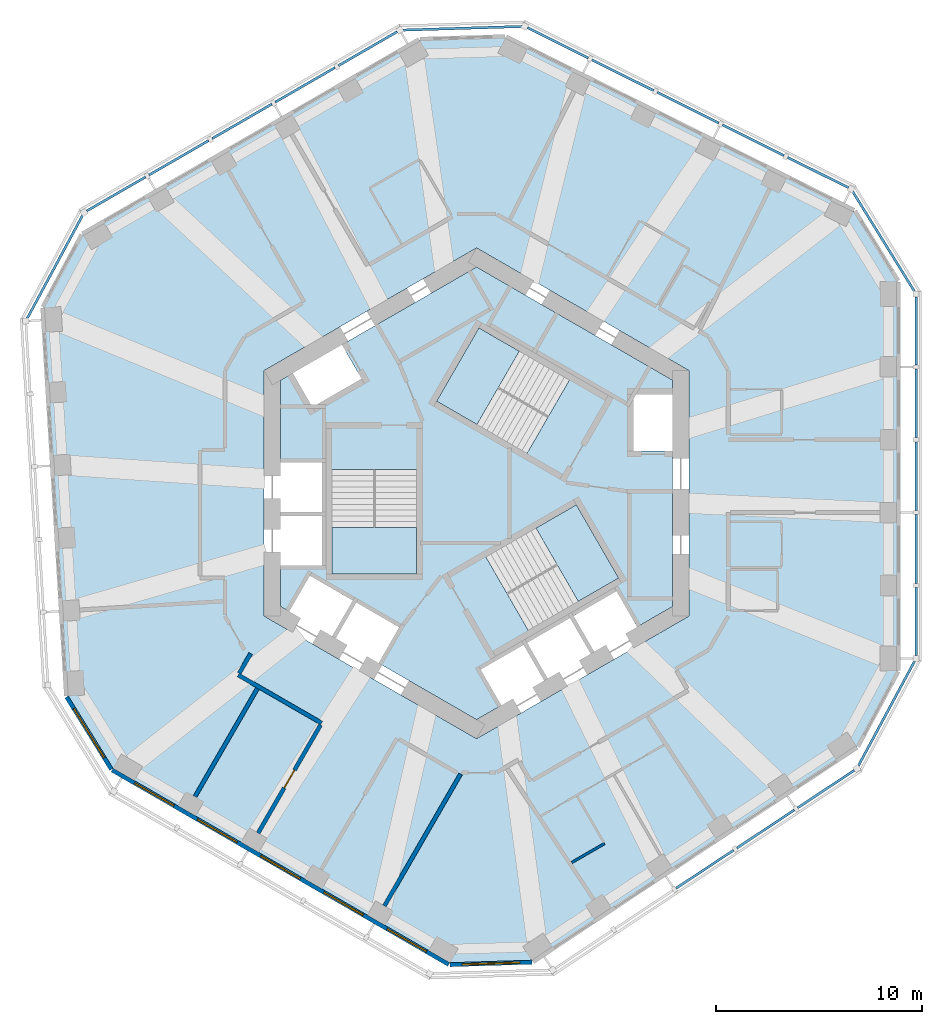
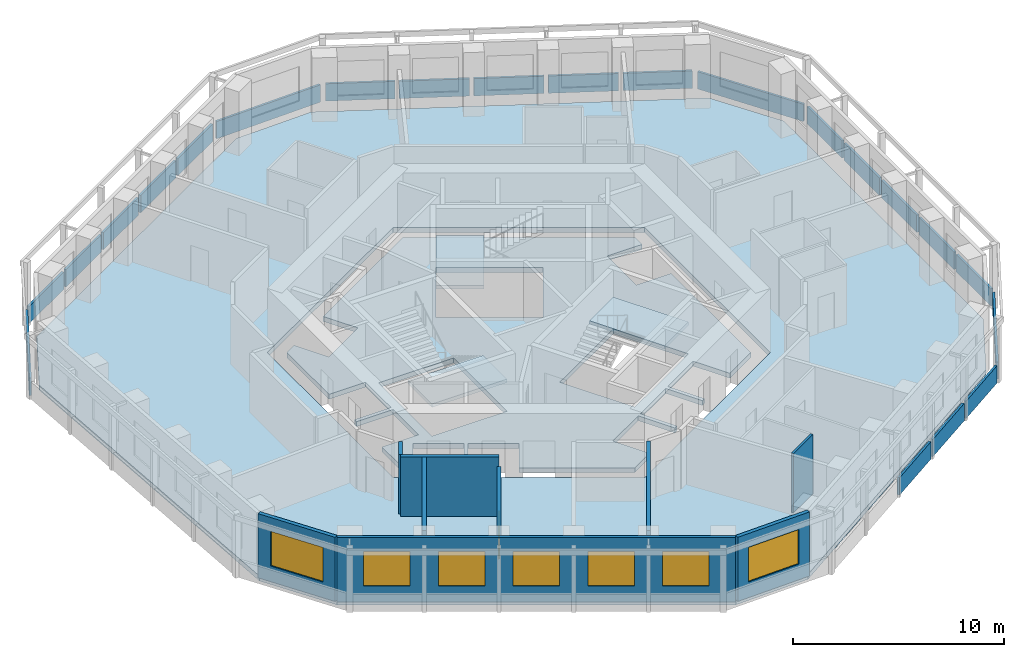
# One storey, part 3 of 11: 22 plates, 9 walls, 7 windows, 5 slabs, 1 door, 8 openings, 11 elements without a shape of their own.
"""IFC4 building model written with IfcOpenShell, lengths in metres."""

from ifc_helpers import new_model, si_unit, direction, frame, frame_2d, origin, origin_2d, place, context, subcontext, project, spatial, polyline, rectangle, outline, extrude, material, layer, layer_set, type_object, element, fill, aggregate, save


model = new_model("IFC4")

# Units and contexts
model_context = context("Model", 3, precision=1e-05, world=origin(), true_north=direction((0.0, 1.0)))
body_context = subcontext(model_context, "Body", "Model", "MODEL_VIEW")
ifc_project = project(units=[si_unit("LENGTHUNIT", "METRE"), si_unit("AREAUNIT", "SQUARE_METRE"), si_unit("VOLUMEUNIT", "CUBIC_METRE"), si_unit("PLANEANGLEUNIT", "RADIAN"), si_unit("MASSUNIT", "GRAM", prefix="KILO")], contexts=[model_context])

# Site, building, storey
site_placement = place(None, origin())
site = spatial("IfcSite", under=ifc_project, at=site_placement, CompositionType="ELEMENT")
building_placement = place(site_placement, origin())
building = spatial("IfcBuilding", under=site, at=building_placement, Name="Vanh Sen Convention Tower", CompositionType="ELEMENT")
storey_placement = place(building_placement, frame((0.0, 0.0, 225.39990234375)))
storey = spatial("IfcBuildingStorey", under=building, at=storey_placement, Name="L55", CompositionType="ELEMENT", Elevation=225.39990234375)

# Slabs
ifc_material_1 = material(Name="Concrete C40/50", Category="concrete")
ifc_layer_1 = layer(ifc_material_1, 0.280029296875)
ifc_layer_set_1 = layer_set([ifc_layer_1], Name="Concrete C40/50")
slab_type_1 = type_object("IfcSlabType", Name="Core slab 280", PredefinedType="FLOOR", material=ifc_layer_set_1)
slab_1_placement = place(storey_placement, frame((0.0, 0.0, -0.27978515625)))
element("IfcSlab", 1, at=slab_1_placement, inside=storey, type_object=slab_type_1, Name="Core slab L55", PredefinedType="FLOOR", context=body_context, shape_type="SweptSolid", body=[
    extrude(outline(polyline([(0.0, 10.9697265625), (9.5, 5.48486328125), (9.5, 4.800048828125), (7.60009765625, 4.800048828125), (7.60009765625, 2.050048828125), (9.5, 2.050048828125), (9.5, -5.48486328125), (7.781005859375, -6.477294921875), (6.781005859375, -4.7451171875), (4.70263671875, -5.9453125), (5.70263671875, -7.67724609375), (5.529296875, -7.777099609375), (4.529296875, -6.045166015625), (2.450927734375, -7.2451171875), (3.450927734375, -8.977294921875), (3.27783203125, -9.0771484375), (2.27783203125, -7.34521484375), (0.19921875, -8.545166015625), (1.19921875, -10.277099609375), (0.0, -10.9697265625), (-4.75, -8.227294921875), (-3.75, -6.4951171875), (-5.82861328125, -5.295166015625), (-6.82861328125, -7.027099609375), (-7.001708984375, -6.92724609375), (-6.001708984375, -5.1953125), (-8.080078125, -3.9951171875), (-9.080078125, -5.727294921875), (-9.5, -5.48486328125), (-9.5, -3.5), (-7.5, -3.5), (-7.5, -1.10009765625), (-9.5, -1.10009765625), (-9.5, -0.89990234375), (-7.5, -0.89990234375), (-7.5, 1.5), (-9.5, 1.5), (-9.5, 5.48486328125), (-8.906982421875, 5.8271484375), (-7.956787109375, 4.181884765625), (-5.575439453125, 5.556884765625), (-6.525390625, 7.2021484375), (0.0, 10.9697265625)]), holes=[polyline([(-7.0, 1.1494140625), (-7.0, -3.909912109375), (-2.89990234375, -3.909912109375), (-2.89990234375, 1.1494140625), (-7.0, 1.1494140625)]), polyline([(2.504638671875, -6.63671875), (6.88623046875, -4.107177734375), (4.836181640625, -0.556396484375), (0.45458984375, -3.086181640625), (2.504638671875, -6.63671875)]), polyline([(0.11376953125, 8.01708984375), (-1.936279296875, 4.466552734375), (2.4453125, 1.936767578125), (4.495361328125, 5.487548828125), (0.11376953125, 8.01708984375)])]), origin(), (0.0, 0.0, 1.0), 0.27978515625),
])
ifc_layer_2 = layer(ifc_material_1, 0.280029296875)
ifc_layer_set_2 = layer_set([ifc_layer_2], Name="Concrete C40/50")
slab_type_2 = type_object("IfcSlabType", Name="Floor slab 280 REI 120", PredefinedType="FLOOR", material=ifc_layer_set_2)
slab_2_placement = place(storey_placement, frame((0.0, 0.0, -0.27978515625)))
element("IfcSlab", 2, at=slab_2_placement, inside=storey, type_object=slab_type_2, Name="Floor slab L55 tower", PredefinedType="FLOOR", context=body_context, shape_type="SweptSolid", body=[
    extrude(outline(polyline([(20.39990234375, -8.602783203125), (20.39990234375, 10.265380859375), (18.289306640625, 13.67626953125), (1.403564453125, 22.09521484375), (-2.749755859375, 21.96826171875), (-19.090087890625, 12.5341796875), (-20.988525390625, 9.000732421875), (-19.8369140625, -9.83203125), (-17.650146484375, -13.365478515625), (-1.309814453125, -22.799560546875), (2.699462890625, -22.677001953125), (18.433349609375, -12.26318359375), (20.39990234375, -8.602783203125)]), holes=[polyline([(0.0, 11.893310546875), (-10.300048828125, 5.94677734375), (-10.300048828125, -5.94677734375), (0.0, -11.893310546875), (10.300048828125, -5.94677734375), (10.300048828125, 5.94677734375), (0.0, 11.893310546875)])]), origin(), (0.0, 0.0, 1.0), 0.27978515625),
])

# Curtain wall, plates
ifc_material_2 = material(Name="Concrete C50/60", Category="concrete")
curtain_wall_type = type_object("IfcCurtainWallType", Name="Outer skin office zone", PredefinedType="NOTDEFINED", material=ifc_material_2)
curtain_wall_1_placement = place(storey_placement, origin())
curtain_wall_1 = element("IfcCurtainWall", 3, at=curtain_wall_1_placement, inside=storey, type_object=curtain_wall_type, Name="OUTER SKIN E L55", PredefinedType="NOTDEFINED")
ifc_layer_3 = layer(ifc_material_2, 0.1201171875)
ifc_layer_set_3 = layer_set([ifc_layer_3], Name="Concrete C50/60")
plate_type = type_object("IfcPlateType", Name="Outer skin precast screen panel 120", PredefinedType="CURTAIN_PANEL", material=ifc_layer_set_3)
plate_1_placement = place(storey_placement, frame((21.300048828125, -6.2109375, 0.0), z_axis=(0.0, 0.0, 1.0), x_axis=(0.0, 1.0, 0.0)))
plate_1 = element("IfcPlate", 4, at=plate_1_placement, type_object=plate_type, Name="OUTER SKIN screen panel E-1", PredefinedType="CURTAIN_PANEL", context=body_context, shape_type="SweptSolid", body=[
    extrude(rectangle(XDim=3.28369140625, YDim=0.1201171875, at=origin_2d()), origin(), (0.0, 0.0, 1.0), 1.0),
])
plate_2_placement = place(storey_placement, frame((21.300048828125, -2.702392578125, 0.0), z_axis=(0.0, 0.0, 1.0), x_axis=(0.0, 1.0, 0.0)))
plate_2 = element("IfcPlate", 5, at=plate_2_placement, type_object=plate_type, Name="OUTER SKIN screen panel E-2", PredefinedType="CURTAIN_PANEL", context=body_context, shape_type="SweptSolid", body=[
    extrude(rectangle(XDim=3.333740234375, YDim=0.1201171875, at=origin_2d()), origin(), (0.0, 0.0, 1.0), 1.0),
])
plate_3_placement = place(storey_placement, frame((21.300048828125, 0.831298828125, 0.0), z_axis=(0.0, 0.0, 1.0), x_axis=(0.0, 1.0, 0.0)))
plate_3 = element("IfcPlate", 6, at=plate_3_placement, type_object=plate_type, Name="OUTER SKIN screen panel E-3", PredefinedType="CURTAIN_PANEL", context=body_context, shape_type="SweptSolid", body=[
    extrude(rectangle(XDim=3.33349609375, YDim=0.1201171875, at=origin_2d()), origin(), (0.0, 0.0, 1.0), 1.0),
])
plate_4_placement = place(storey_placement, frame((21.300048828125, 4.364990234375, 0.0), z_axis=(0.0, 0.0, 1.0), x_axis=(0.0, 1.0, 0.0)))
plate_4 = element("IfcPlate", 7, at=plate_4_placement, type_object=plate_type, Name="OUTER SKIN screen panel E-4", PredefinedType="CURTAIN_PANEL", context=body_context, shape_type="SweptSolid", body=[
    extrude(rectangle(XDim=3.33349609375, YDim=0.1201171875, at=origin_2d()), origin(), (0.0, 0.0, 1.0), 1.0),
])
plate_5_placement = place(storey_placement, frame((21.300048828125, 7.87353515625, 0.0), z_axis=(0.0, 0.0, 1.0), x_axis=(0.0, 1.0, 0.0)))
plate_5 = element("IfcPlate", 8, at=plate_5_placement, type_object=plate_type, Name="OUTER SKIN screen panel E-5", PredefinedType="CURTAIN_PANEL", context=body_context, shape_type="SweptSolid", body=[
    extrude(rectangle(XDim=3.28369140625, YDim=0.1201171875, at=origin_2d()), origin(), (0.0, 0.0, 1.0), 1.0),
])
aggregate(curtain_wall_1, [plate_1, plate_2, plate_3, plate_4, plate_5])

# Curtain wall, plate
curtain_wall_2_placement = place(storey_placement, origin())
curtain_wall_2 = element("IfcCurtainWall", 9, at=curtain_wall_2_placement, inside=storey, type_object=curtain_wall_type, Name="OUTER SKIN CH1 L55", PredefinedType="NOTDEFINED")
plate_6_placement = place(storey_placement, frame((19.726806640625, 12.20751953125, 0.0), z_axis=(0.0, 0.0, 1.0), x_axis=(-0.526216891938, 0.850350388157, 0.0)))
plate_6 = element("IfcPlate", 10, at=plate_6_placement, type_object=plate_type, Name="OUTER SKIN screen panel CH1-1", PredefinedType="CURTAIN_PANEL", context=body_context, shape_type="SweptSolid", body=[
    extrude(rectangle(XDim=5.6787109375, YDim=0.1201171875, at=origin_2d()), origin(), (0.0, 0.0, 1.0), 1.0),
])
aggregate(curtain_wall_2, [plate_6])

# Curtain wall, plates
curtain_wall_3_placement = place(storey_placement, origin())
curtain_wall_3 = element("IfcCurtainWall", 11, at=curtain_wall_3_placement, inside=storey, type_object=curtain_wall_type, Name="OUTER SKIN NE L55", PredefinedType="NOTDEFINED")
plate_7_placement = place(storey_placement, frame((16.55029296875, 15.549072265625, 0.0), z_axis=(0.0, 0.0, 1.0), x_axis=(-0.894930467757, 0.446205622868, 0.0)))
plate_7 = element("IfcPlate", 12, at=plate_7_placement, type_object=plate_type, Name="OUTER SKIN screen panel NE-1", PredefinedType="CURTAIN_PANEL", context=body_context, shape_type="SweptSolid", body=[
    extrude(rectangle(XDim=3.28369140625, YDim=0.1201171875, at=origin_2d()), origin(), (0.0, 0.0, 1.0), 1.0),
])
plate_8_placement = place(storey_placement, frame((13.410400390625, 17.114501953125, 0.0), z_axis=(0.0, 0.0, 1.0), x_axis=(-0.894935919121, 0.446194689197, 0.0)))
plate_8 = element("IfcPlate", 13, at=plate_8_placement, type_object=plate_type, Name="OUTER SKIN screen panel NE-2", PredefinedType="CURTAIN_PANEL", context=body_context, shape_type="SweptSolid", body=[
    extrude(rectangle(XDim=3.333740234375, YDim=0.1201171875, at=origin_2d()), origin(), (0.0, 0.0, 1.0), 1.0),
])
plate_9_placement = place(storey_placement, frame((10.248046875, 18.691162109375, 0.0), z_axis=(0.0, 0.0, 1.0), x_axis=(-0.894935919121, 0.446194689197, 0.0)))
plate_9 = element("IfcPlate", 14, at=plate_9_placement, type_object=plate_type, Name="OUTER SKIN screen panel NE-3", PredefinedType="CURTAIN_PANEL", context=body_context, shape_type="SweptSolid", body=[
    extrude(rectangle(XDim=3.333740234375, YDim=0.1201171875, at=origin_2d()), origin(), (0.0, 0.0, 1.0), 1.0),
])
plate_10_placement = place(storey_placement, frame((7.085693359375, 20.267822265625, 0.0), z_axis=(0.0, 0.0, 1.0), x_axis=(-0.894935919121, 0.446194689197, 0.0)))
plate_10 = element("IfcPlate", 15, at=plate_10_placement, type_object=plate_type, Name="OUTER SKIN screen panel NE-4", PredefinedType="CURTAIN_PANEL", context=body_context, shape_type="SweptSolid", body=[
    extrude(rectangle(XDim=3.333740234375, YDim=0.1201171875, at=origin_2d()), origin(), (0.0, 0.0, 1.0), 1.0),
])
plate_11_placement = place(storey_placement, frame((3.945556640625, 21.83349609375, 0.0), z_axis=(0.0, 0.0, 1.0), x_axis=(-0.894930467757, 0.446205622868, 0.0)))
plate_11 = element("IfcPlate", 16, at=plate_11_placement, type_object=plate_type, Name="OUTER SKIN screen panel NE-5", PredefinedType="CURTAIN_PANEL", context=body_context, shape_type="SweptSolid", body=[
    extrude(rectangle(XDim=3.28369140625, YDim=0.1201171875, at=origin_2d()), origin(), (0.0, 0.0, 1.0), 1.0),
])
aggregate(curtain_wall_3, [plate_7, plate_8, plate_9, plate_10, plate_11])

# Curtain wall, plate
curtain_wall_4_placement = place(storey_placement, origin())
curtain_wall_4 = element("IfcCurtainWall", 17, at=curtain_wall_4_placement, inside=storey, type_object=curtain_wall_type, Name="OUTER SKIN CH2 L55", PredefinedType="NOTDEFINED")
plate_12_placement = place(storey_placement, frame((-0.688720703125, 22.540283203125, 0.0), z_axis=(0.0, 0.0, 1.0), x_axis=(-0.999533430924, -0.030543746755, 0.0)))
plate_12 = element("IfcPlate", 18, at=plate_12_placement, type_object=plate_type, Name="OUTER SKIN screen panel CH2-1", PredefinedType="CURTAIN_PANEL", context=body_context, shape_type="SweptSolid", body=[
    extrude(rectangle(XDim=5.764404296875, YDim=0.1201171875, at=origin_2d()), origin(), (0.0, 0.0, 1.0), 1.0),
])
aggregate(curtain_wall_4, [plate_12])

# Curtain wall, plates
curtain_wall_5_placement = place(storey_placement, origin())
curtain_wall_5 = element("IfcCurtainWall", 19, at=curtain_wall_5_placement, inside=storey, type_object=curtain_wall_type, Name="OUTER SKIN NW L55", PredefinedType="NOTDEFINED")
plate_13_placement = place(storey_placement, frame((-5.271240234375, 21.5517578125, 0.0), z_axis=(0.0, 0.0, 1.0), x_axis=(-0.866026276448, -0.4999984885, 0.0)))
plate_13 = element("IfcPlate", 20, at=plate_13_placement, type_object=plate_type, Name="OUTER SKIN screen panel NW-1", PredefinedType="CURTAIN_PANEL", context=body_context, shape_type="SweptSolid", body=[
    extrude(rectangle(XDim=3.28369140625, YDim=0.1201171875, at=origin_2d()), origin(), (0.0, 0.0, 1.0), 1.0),
])
plate_14_placement = place(storey_placement, frame((-8.309814453125, 19.797607421875, 0.0), z_axis=(0.0, 0.0, 1.0), x_axis=(-0.866026276448, -0.4999984885, 0.0)))
plate_14 = element("IfcPlate", 21, at=plate_14_placement, type_object=plate_type, Name="OUTER SKIN screen panel NW-2", PredefinedType="CURTAIN_PANEL", context=body_context, shape_type="SweptSolid", body=[
    extrude(rectangle(XDim=3.33349609375, YDim=0.1201171875, at=origin_2d()), origin(), (0.0, 0.0, 1.0), 1.0),
])
plate_15_placement = place(storey_placement, frame((-11.369873046875, 18.03076171875, 0.0), z_axis=(0.0, 0.0, 1.0), x_axis=(-0.866026276448, -0.4999984885, 0.0)))
plate_15 = element("IfcPlate", 22, at=plate_15_placement, type_object=plate_type, Name="OUTER SKIN screen panel NW-3", PredefinedType="CURTAIN_PANEL", context=body_context, shape_type="SweptSolid", body=[
    extrude(rectangle(XDim=3.33349609375, YDim=0.1201171875, at=origin_2d()), origin(), (0.0, 0.0, 1.0), 1.0),
])
plate_16_placement = place(storey_placement, frame((-14.43017578125, 16.263916015625, 0.0), z_axis=(0.0, 0.0, 1.0), x_axis=(-0.866014058921, -0.500019649364, 0.0)))
plate_16 = element("IfcPlate", 23, at=plate_16_placement, type_object=plate_type, Name="OUTER SKIN screen panel NW-4", PredefinedType="CURTAIN_PANEL", context=body_context, shape_type="SweptSolid", body=[
    extrude(rectangle(XDim=3.333740234375, YDim=0.1201171875, at=origin_2d()), origin(), (0.0, 0.0, 1.0), 1.0),
])
plate_17_placement = place(storey_placement, frame((-17.46875, 14.509521484375, 0.0), z_axis=(0.0, 0.0, 1.0), x_axis=(-0.866033257659, -0.499986396443, 0.0)))
plate_17 = element("IfcPlate", 24, at=plate_17_placement, type_object=plate_type, Name="OUTER SKIN screen panel NW-5", PredefinedType="CURTAIN_PANEL", context=body_context, shape_type="SweptSolid", body=[
    extrude(rectangle(XDim=3.28369140625, YDim=0.1201171875, at=origin_2d()), origin(), (0.0, 0.0, 1.0), 1.0),
])
aggregate(curtain_wall_5, [plate_13, plate_14, plate_15, plate_16, plate_17])

# Curtain wall, plate
curtain_wall_6_placement = place(storey_placement, origin())
curtain_wall_6 = element("IfcCurtainWall", 25, at=curtain_wall_6_placement, inside=storey, type_object=curtain_wall_type, Name="OUTER SKIN CH3 L55", PredefinedType="NOTDEFINED")
plate_18_placement = place(storey_placement, frame((-20.435302734375, 10.980224609375, 0.0), z_axis=(0.0, 0.0, 1.0), x_axis=(-0.473307367584, -0.880897346909, 0.0)))
plate_18 = element("IfcPlate", 26, at=plate_18_placement, type_object=plate_type, Name="OUTER SKIN screen panel CH3-1", PredefinedType="CURTAIN_PANEL", context=body_context, shape_type="SweptSolid", body=[
    extrude(rectangle(XDim=5.6787109375, YDim=0.1201171875, at=origin_2d()), origin(), (0.0, 0.0, 1.0), 1.0),
])
aggregate(curtain_wall_6, [plate_18])

# Curtain wall, plates
curtain_wall_7_placement = place(storey_placement, origin())
curtain_wall_7 = element("IfcCurtainWall", 27, at=curtain_wall_7_placement, inside=storey, type_object=curtain_wall_type, Name="OUTER SKIN SE L55", PredefinedType="NOTDEFINED")
plate_19_placement = place(storey_placement, frame((11.06298828125, -18.220703125, 0.0), z_axis=(0.0, 0.0, 1.0), x_axis=(0.833896418343, 0.551920975752, 0.0)))
plate_19 = element("IfcPlate", 28, at=plate_19_placement, type_object=plate_type, Name="OUTER SKIN screen panel SE-3", PredefinedType="CURTAIN_PANEL", context=body_context, shape_type="SweptSolid", body=[
    extrude(rectangle(XDim=3.333740234375, YDim=0.1201171875, at=origin_2d()), origin(), (0.0, 0.0, 1.0), 1.0),
])
plate_20_placement = place(storey_placement, frame((14.009765625, -16.270263671875, 0.0), z_axis=(0.0, 0.0, 1.0), x_axis=(0.833874262143, 0.551954450055, 0.0)))
plate_20 = element("IfcPlate", 29, at=plate_20_placement, type_object=plate_type, Name="OUTER SKIN screen panel SE-4", PredefinedType="CURTAIN_PANEL", context=body_context, shape_type="SweptSolid", body=[
    extrude(rectangle(XDim=3.33349609375, YDim=0.1201171875, at=origin_2d()), origin(), (0.0, 0.0, 1.0), 1.0),
])
plate_21_placement = place(storey_placement, frame((16.935546875, -14.333740234375, 0.0), z_axis=(0.0, 0.0, 1.0), x_axis=(0.833896418343, 0.551920975752, 0.0)))
plate_21 = element("IfcPlate", 30, at=plate_21_placement, type_object=plate_type, Name="OUTER SKIN screen panel SE-5", PredefinedType="CURTAIN_PANEL", context=body_context, shape_type="SweptSolid", body=[
    extrude(rectangle(XDim=3.28369140625, YDim=0.1201171875, at=origin_2d()), origin(), (0.0, 0.0, 1.0), 1.0),
])
aggregate(curtain_wall_7, [plate_19, plate_20, plate_21])

# Curtain wall, plate
curtain_wall_8_placement = place(storey_placement, origin())
curtain_wall_8 = element("IfcCurtainWall", 31, at=curtain_wall_8_placement, inside=storey, type_object=curtain_wall_type, Name="OUTER SKIN CH6 L55", PredefinedType="NOTDEFINED")
plate_22_placement = place(storey_placement, frame((19.864990234375, -10.673828125, 0.0), z_axis=(0.0, 0.0, 1.0), x_axis=(0.473313517396, 0.880894042579, 0.0)))
plate_22 = element("IfcPlate", 32, at=plate_22_placement, type_object=plate_type, Name="OUTER SKIN screen panel CH6-1", PredefinedType="CURTAIN_PANEL", context=body_context, shape_type="SweptSolid", body=[
    extrude(rectangle(XDim=5.76416015625, YDim=0.1201171875, at=origin_2d()), origin(), (0.0, 0.0, 1.0), 1.0),
])
aggregate(curtain_wall_8, [plate_22])

# Stair, slab
ifc_material_3 = material(Name="Concrete C50/60", Category="concrete")
stair_type_1 = type_object("IfcStairType", Name="Exit stair ST1 22 risers at 168.2", PredefinedType="HALF_TURN_STAIR", material=ifc_material_3)
stair_1_placement = place(storey_placement, origin())
stair_1 = element("IfcStair", 33, at=stair_1_placement, inside=storey, type_object=stair_type_1, Name="Exit stair ST1 L55", PredefinedType="HALF_TURN_STAIR")
ifc_layer_4 = layer(ifc_material_1, 0.199951171875)
ifc_layer_set_4 = layer_set([ifc_layer_4], Name="Concrete C40/50")
slab_type_3 = type_object("IfcSlabType", Name="Stair landing 200", PredefinedType="LANDING", material=ifc_layer_set_4)
slab_3_placement = place(storey_placement, frame((0.0, 0.0, 1.650146484375)))
slab_3 = element("IfcSlab", 34, at=slab_3_placement, type_object=slab_type_3, Name="ST1 landing 1", PredefinedType="LANDING", context=body_context, shape_type="SweptSolid", body=[
    extrude(outline(polyline([(2.07177734375, 6.88671875), (0.11376953125, 8.01708984375), (-1.936279296875, 4.466552734375), (0.021728515625, 3.336181640625), (2.07177734375, 6.88671875)])), origin(), (0.0, 0.0, 1.0), 0.199951171875),
])
aggregate(stair_1, [slab_3])

stair_type_2 = type_object("IfcStairType", Name="Exit stair ST2 22 risers at 168.2", PredefinedType="HALF_TURN_STAIR", material=ifc_material_3)
stair_2_placement = place(storey_placement, origin())
stair_2 = element("IfcStair", 35, at=stair_2_placement, inside=storey, type_object=stair_type_2, Name="Exit stair ST2 L55", PredefinedType="HALF_TURN_STAIR")
slab_4_placement = place(storey_placement, frame((0.0, 0.0, 1.650146484375)))
slab_4 = element("IfcSlab", 36, at=slab_4_placement, type_object=slab_type_3, Name="ST2 landing 1", PredefinedType="LANDING", context=body_context, shape_type="SweptSolid", body=[
    extrude(outline(polyline([(-7.0, -1.6494140625), (-7.0, -3.909912109375), (-2.89990234375, -3.909912109375), (-2.89990234375, -1.6494140625), (-7.0, -1.6494140625)])), origin(), (0.0, 0.0, 1.0), 0.199951171875),
])
aggregate(stair_2, [slab_4])

stair_type_3 = type_object("IfcStairType", Name="Exit stair ST3 22 risers at 168.2", PredefinedType="HALF_TURN_STAIR", material=ifc_material_3)
stair_3_placement = place(storey_placement, origin())
stair_3 = element("IfcStair", 37, at=stair_3_placement, inside=storey, type_object=stair_type_3, Name="Exit stair ST3 L55", PredefinedType="HALF_TURN_STAIR")
slab_5_placement = place(storey_placement, frame((0.0, 0.0, 1.650146484375)))
slab_5 = element("IfcSlab", 38, at=slab_5_placement, type_object=slab_type_3, Name="ST3 landing 1", PredefinedType="LANDING", context=body_context, shape_type="SweptSolid", body=[
    extrude(outline(polyline([(4.92822265625, -5.237548828125), (6.88623046875, -4.107177734375), (4.836181640625, -0.556396484375), (2.87841796875, -1.686767578125), (4.92822265625, -5.237548828125)])), origin(), (0.0, 0.0, 1.0), 0.199951171875),
])
aggregate(stair_3, [slab_5])

# Walls
ifc_material_4 = material(Name="Moisture-resistant gypsum board on steel studs", Category="steel")
ifc_layer_5 = layer(ifc_material_4, 0.1201171875)
ifc_layer_set_5 = layer_set([ifc_layer_5], Name="Moisture-resistant gypsum board on steel studs")
wall_type_1 = type_object("IfcWallType", Name="Bathroom partition 120", PredefinedType="PARTITIONING", material=ifc_layer_set_5)
wall_1_placement = place(storey_placement, frame((4.60986328125, -17.893310546875, 0.0), z_axis=(0.0, 0.0, 1.0), x_axis=(0.866023842607, 0.500002704028, 0.0)))
element("IfcWall", 39, at=wall_1_placement, inside=storey, type_object=wall_type_1, Name="Bathroom partition 120", PredefinedType="PARTITIONING", context=body_context, shape_type="SweptSolid", body=[
    extrude(rectangle(XDim=1.8349609375, YDim=0.1201171875, at=frame_2d((0.91748046875, 0.0))), origin(), (0.0, 0.0, 1.0), 3.420166015625),
])
ifc_material_5 = material(Name="Gypsum board on steel studs with mineral wool", Category="steel")
ifc_layer_6 = layer(ifc_material_5, 0.199951171875)
ifc_layer_set_6 = layer_set([ifc_layer_6], Name="Gypsum board on steel studs with mineral wool")
wall_type_2 = type_object("IfcWallType", Name="Corridor partition wall 200", PredefinedType="PARTITIONING", material=ifc_layer_set_6)
wall_2_placement = place(storey_placement, frame((-11.551025390625, -8.80517578125, 0.0), z_axis=(0.0, 0.0, 1.0), x_axis=(0.866038310922, -0.499977643516, 0.0)))
element("IfcWall", 40, at=wall_2_placement, inside=storey, type_object=wall_type_2, Name="Corridor partition wall 200", PredefinedType="PARTITIONING", context=body_context, shape_type="SweptSolid", body=[
    extrude(rectangle(XDim=4.665283203125, YDim=0.199951171875, at=frame_2d((2.33251953125, 0.0))), origin(), (0.0, 0.0, 1.0), 3.420166015625),
])
wall_3_placement = place(storey_placement, frame((-10.95068359375, -7.764892578125, 0.0), z_axis=(0.0, 0.0, 1.0), x_axis=(-0.499978356969, -0.866037899034, 0.0)))
element("IfcWall", 41, at=wall_3_placement, inside=storey, type_object=wall_type_2, Name="Corridor partition wall 200", PredefinedType="PARTITIONING", context=body_context, shape_type="SweptSolid", body=[
    extrude(rectangle(XDim=1.10107421875, YDim=0.199951171875, at=frame_2d((0.550537109375, 0.0))), origin(), (0.0, 0.0, 1.0), 3.420166015625),
])

# Wall, opening, door
wall_4_placement = place(storey_placement, frame((-10.585205078125, -16.462890625, 0.0), z_axis=(0.0, 0.0, 1.0), x_axis=(0.499993802756, 0.866028981735, 0.0)))
wall_4 = element("IfcWall", 42, at=wall_4_placement, inside=storey, type_object=wall_type_2, Name="Corridor partition wall 200", PredefinedType="PARTITIONING", context=body_context, shape_type="SweptSolid", body=[
    extrude(rectangle(XDim=6.048828125, YDim=0.199951171875, at=frame_2d((3.0244140625, 0.0))), origin(), (0.0, 0.0, 1.0), 2.8701171875),
])
opening_1_placement = place(wall_4_placement, frame((2.5244140625, 0.0, 0.0)))
opening_1 = element("IfcOpeningElement", 43, at=opening_1_placement, cuts=wall_4, Name="Opening D52110", PredefinedType="OPENING", context=body_context, shape_type="SweptSolid", body=[
    extrude(rectangle(XDim=1.0, YDim=2.10009765625, at=frame_2d((0.5, 1.050048828125))), frame((0.0, 0.10986328125, 0.0), z_axis=(0.0, -1.0, 0.0), x_axis=(1.0, 0.0, 0.0)), (0.0, 0.0, 1.0), 0.219970703125),
])
ifc_material_6 = material(Name="Glazed fire door in steel frame", Category="steel")
door_type = type_object("IfcDoorType", Name="Tenant entrance door 1000", OperationType="SINGLE_SWING_LEFT", PredefinedType="DOOR", material=ifc_material_6)
door_placement = place(opening_1_placement, origin())
door = element("IfcDoor", 44, at=door_placement, inside=storey, type_object=door_type, Name="Tenant suite entrance door D52110", OperationType="SINGLE_SWING_LEFT", OverallHeight=2.10009765625, OverallWidth=1.0, PredefinedType="DOOR", context=body_context, shape_type="SweptSolid", body=[
    extrude(rectangle(XDim=1.0, YDim=2.10009765625, at=frame_2d((0.5, 1.050048828125))), frame((0.0, 0.02490234375, 0.0), z_axis=(0.0, -1.0, 0.0), x_axis=(1.0, 0.0, 0.0)), (0.0, 0.0, 1.0), 0.050048828125),
])
fill(opening_1, door)

# Wall, opening, window
ifc_material_7 = material(Name="Insulated lightweight infill wall")
ifc_layer_7 = layer(ifc_material_7, 0.199951171875)
ifc_layer_set_7 = layer_set([ifc_layer_7], Name="Insulated lightweight infill wall")
wall_type_3 = type_object("IfcWallType", Name="External wall 200", PredefinedType="STANDARD", material=ifc_layer_set_7)
wall_5_placement = place(storey_placement, frame((-19.872802734375, -9.869140625, 0.0), z_axis=(0.0, 0.0, 1.0), x_axis=(0.52626914263, -0.850318051975, 0.0)))
wall_5 = element("IfcWall", 45, at=wall_5_placement, inside=storey, type_object=wall_type_3, Name="External wall CH4 L55", PredefinedType="STANDARD", context=body_context, shape_type="SweptSolid", body=[
    extrude(rectangle(XDim=4.130126953125, YDim=0.199951171875, at=frame_2d((2.06494140625, 0.0))), origin(), (0.0, 0.0, 1.0), 3.7001953125),
])
opening_2_placement = place(wall_5_placement, frame((0.6650390625, 0.0, 0.89990234375)))
opening_2 = element("IfcOpeningElement", 46, at=opening_2_placement, cuts=wall_5, Name="Opening WO4-CH41", PredefinedType="OPENING", context=body_context, shape_type="SweptSolid", body=[
    extrude(rectangle(XDim=2.800048828125, YDim=2.0, at=frame_2d((1.39990234375, 1.0))), frame((0.0, 0.10986328125, 0.0), z_axis=(0.0, -1.0, 0.0), x_axis=(1.0, 0.0, 0.0)), (0.0, 0.0, 1.0), 0.219970703125),
])
ifc_material_8 = material(Name="Aluminium frame with clear low-emissivity glass", Category="aluminium")
window_type_1 = type_object("IfcWindowType", Name="Office window 2800 x 2000", PartitioningType="SINGLE_PANEL", PredefinedType="WINDOW", material=ifc_material_8)
window_1_placement = place(opening_2_placement, origin())
window_1 = element("IfcWindow", 47, at=window_1_placement, inside=storey, type_object=window_type_1, Name="Window WO4-CH41", OverallHeight=2.0, OverallWidth=2.800048828125, PartitioningType="SINGLE_PANEL", PredefinedType="WINDOW", context=body_context, shape_type="SweptSolid", body=[
    extrude(rectangle(XDim=2.800048828125, YDim=2.0, at=frame_2d((1.39990234375, 1.0))), frame((0.0, 0.030029296875, 0.0), z_axis=(0.0, -1.0, 0.0), x_axis=(1.0, 0.0, 0.0)), (0.0, 0.0, 1.0), 0.06005859375),
])
fill(opening_2, window_1)

# Wall, openings, windows
wall_6_placement = place(storey_placement, frame((-17.664306640625, -13.4150390625, 0.0), z_axis=(0.0, 0.0, 1.0), x_axis=(0.866026555358, -0.49999800541, 0.0)))
wall_6 = element("IfcWall", 48, at=wall_6_placement, inside=storey, type_object=wall_type_3, Name="External wall SW L55", PredefinedType="STANDARD", context=body_context, shape_type="SweptSolid", body=[
    extrude(rectangle(XDim=18.84130859375, YDim=0.199951171875, at=frame_2d((9.420654296875, 0.0))), origin(), (0.0, 0.0, 1.0), 3.7001953125),
])
opening_3_placement = place(wall_6_placement, frame((1.254150390625, 0.0, 0.89990234375)))
opening_3 = element("IfcOpeningElement", 49, at=opening_3_placement, cuts=wall_6, Name="Opening WO3-SW1", PredefinedType="OPENING", context=body_context, shape_type="SweptSolid", body=[
    extrude(rectangle(XDim=2.199951171875, YDim=2.0, at=frame_2d((1.10009765625, 1.0))), frame((0.0, 0.10986328125, 0.0), z_axis=(0.0, -1.0, 0.0), x_axis=(1.0, 0.0, 0.0)), (0.0, 0.0, 1.0), 0.219970703125),
])
opening_4_placement = place(wall_6_placement, frame((4.787841796875, 0.0, 0.89990234375)))
opening_4 = element("IfcOpeningElement", 50, at=opening_4_placement, cuts=wall_6, Name="Opening WO3-SW2", PredefinedType="OPENING", context=body_context, shape_type="SweptSolid", body=[
    extrude(rectangle(XDim=2.199951171875, YDim=2.0, at=frame_2d((1.10009765625, 1.0))), frame((0.0, 0.10986328125, 0.0), z_axis=(0.0, -1.0, 0.0), x_axis=(1.0, 0.0, 0.0)), (0.0, 0.0, 1.0), 0.219970703125),
])
opening_5_placement = place(wall_6_placement, frame((8.321533203125, 0.0, 0.89990234375)))
opening_5 = element("IfcOpeningElement", 51, at=opening_5_placement, cuts=wall_6, Name="Opening WO3-SW3", PredefinedType="OPENING", context=body_context, shape_type="SweptSolid", body=[
    extrude(rectangle(XDim=2.199951171875, YDim=2.0, at=frame_2d((1.10009765625, 1.0))), frame((0.0, 0.10986328125, 0.0), z_axis=(0.0, -1.0, 0.0), x_axis=(1.0, 0.0, 0.0)), (0.0, 0.0, 1.0), 0.219970703125),
])
opening_6_placement = place(wall_6_placement, frame((11.85498046875, 0.0, 0.89990234375)))
opening_6 = element("IfcOpeningElement", 52, at=opening_6_placement, cuts=wall_6, Name="Opening WO3-SW4", PredefinedType="OPENING", context=body_context, shape_type="SweptSolid", body=[
    extrude(rectangle(XDim=2.199951171875, YDim=2.0, at=frame_2d((1.10009765625, 1.0))), frame((0.0, 0.10986328125, 0.0), z_axis=(0.0, -1.0, 0.0), x_axis=(1.0, 0.0, 0.0)), (0.0, 0.0, 1.0), 0.219970703125),
])
opening_7_placement = place(wall_6_placement, frame((15.388671875, 0.0, 0.89990234375)))
opening_7 = element("IfcOpeningElement", 53, at=opening_7_placement, cuts=wall_6, Name="Opening WO3-SW5", PredefinedType="OPENING", context=body_context, shape_type="SweptSolid", body=[
    extrude(rectangle(XDim=2.199951171875, YDim=2.0, at=frame_2d((1.10009765625, 1.0))), frame((0.0, 0.10986328125, 0.0), z_axis=(0.0, -1.0, 0.0), x_axis=(1.0, 0.0, 0.0)), (0.0, 0.0, 1.0), 0.219970703125),
])
window_type_2 = type_object("IfcWindowType", Name="Office window 2200 x 2000", PartitioningType="SINGLE_PANEL", PredefinedType="WINDOW", material=ifc_material_8)
window_2_placement = place(opening_3_placement, origin())
window_2 = element("IfcWindow", 54, at=window_2_placement, inside=storey, type_object=window_type_2, Name="Window WO3-SW1", OverallHeight=2.0, OverallWidth=2.199951171875, PartitioningType="SINGLE_PANEL", PredefinedType="WINDOW", context=body_context, shape_type="SweptSolid", body=[
    extrude(rectangle(XDim=2.199951171875, YDim=2.0, at=frame_2d((1.10009765625, 1.0))), frame((0.0, 0.030029296875, 0.0), z_axis=(0.0, -1.0, 0.0), x_axis=(1.0, 0.0, 0.0)), (0.0, 0.0, 1.0), 0.06005859375),
])
fill(opening_3, window_2)
window_3_placement = place(opening_4_placement, origin())
window_3 = element("IfcWindow", 55, at=window_3_placement, inside=storey, type_object=window_type_2, Name="Window WO3-SW2", OverallHeight=2.0, OverallWidth=2.199951171875, PartitioningType="SINGLE_PANEL", PredefinedType="WINDOW", context=body_context, shape_type="SweptSolid", body=[
    extrude(rectangle(XDim=2.199951171875, YDim=2.0, at=frame_2d((1.10009765625, 1.0))), frame((0.0, 0.030029296875, 0.0), z_axis=(0.0, -1.0, 0.0), x_axis=(1.0, 0.0, 0.0)), (0.0, 0.0, 1.0), 0.06005859375),
])
fill(opening_4, window_3)
window_4_placement = place(opening_5_placement, origin())
window_4 = element("IfcWindow", 56, at=window_4_placement, inside=storey, type_object=window_type_2, Name="Window WO3-SW3", OverallHeight=2.0, OverallWidth=2.199951171875, PartitioningType="SINGLE_PANEL", PredefinedType="WINDOW", context=body_context, shape_type="SweptSolid", body=[
    extrude(rectangle(XDim=2.199951171875, YDim=2.0, at=frame_2d((1.10009765625, 1.0))), frame((0.0, 0.030029296875, 0.0), z_axis=(0.0, -1.0, 0.0), x_axis=(1.0, 0.0, 0.0)), (0.0, 0.0, 1.0), 0.06005859375),
])
fill(opening_5, window_4)
window_5_placement = place(opening_6_placement, origin())
window_5 = element("IfcWindow", 57, at=window_5_placement, inside=storey, type_object=window_type_2, Name="Window WO3-SW4", OverallHeight=2.0, OverallWidth=2.199951171875, PartitioningType="SINGLE_PANEL", PredefinedType="WINDOW", context=body_context, shape_type="SweptSolid", body=[
    extrude(rectangle(XDim=2.199951171875, YDim=2.0, at=frame_2d((1.10009765625, 1.0))), frame((0.0, 0.030029296875, 0.0), z_axis=(0.0, -1.0, 0.0), x_axis=(1.0, 0.0, 0.0)), (0.0, 0.0, 1.0), 0.06005859375),
])
fill(opening_6, window_5)
window_6_placement = place(opening_7_placement, origin())
window_6 = element("IfcWindow", 58, at=window_6_placement, inside=storey, type_object=window_type_2, Name="Window WO3-SW5", OverallHeight=2.0, OverallWidth=2.199951171875, PartitioningType="SINGLE_PANEL", PredefinedType="WINDOW", context=body_context, shape_type="SweptSolid", body=[
    extrude(rectangle(XDim=2.199951171875, YDim=2.0, at=frame_2d((1.10009765625, 1.0))), frame((0.0, 0.030029296875, 0.0), z_axis=(0.0, -1.0, 0.0), x_axis=(1.0, 0.0, 0.0)), (0.0, 0.0, 1.0), 0.06005859375),
])
fill(opening_7, window_6)

# Wall, opening, window
wall_7_placement = place(storey_placement, frame((-1.294189453125, -22.84912109375, 0.0), z_axis=(0.0, 0.0, 1.0), x_axis=(0.999533952558, 0.030526671678, 0.0)))
wall_7 = element("IfcWall", 59, at=wall_7_placement, inside=storey, type_object=wall_type_3, Name="External wall CH5 L55", PredefinedType="STANDARD", context=body_context, shape_type="SweptSolid", body=[
    extrude(rectangle(XDim=3.98291015625, YDim=0.199951171875, at=frame_2d((1.991455078125, 0.0))), origin(), (0.0, 0.0, 1.0), 3.7001953125),
])
opening_8_placement = place(wall_7_placement, frame((0.59130859375, 0.0, 0.89990234375)))
opening_8 = element("IfcOpeningElement", 60, at=opening_8_placement, cuts=wall_7, Name="Opening WO4-CH51", PredefinedType="OPENING", context=body_context, shape_type="SweptSolid", body=[
    extrude(rectangle(XDim=2.800048828125, YDim=2.0, at=frame_2d((1.39990234375, 1.0))), frame((0.0, 0.10986328125, 0.0), z_axis=(0.0, -1.0, 0.0), x_axis=(1.0, 0.0, 0.0)), (0.0, 0.0, 1.0), 0.219970703125),
])
window_7_placement = place(opening_8_placement, origin())
window_7 = element("IfcWindow", 61, at=window_7_placement, inside=storey, type_object=window_type_1, Name="Window WO4-CH51", OverallHeight=2.0, OverallWidth=2.800048828125, PartitioningType="SINGLE_PANEL", PredefinedType="WINDOW", context=body_context, shape_type="SweptSolid", body=[
    extrude(rectangle(XDim=2.800048828125, YDim=2.0, at=frame_2d((1.39990234375, 1.0))), frame((0.0, 0.030029296875, 0.0), z_axis=(0.0, -1.0, 0.0), x_axis=(1.0, 0.0, 0.0)), (0.0, 0.0, 1.0), 0.06005859375),
])
fill(opening_8, window_7)

# Walls
ifc_layer_8 = layer(ifc_material_5, 0.199951171875)
ifc_layer_set_8 = layer_set([ifc_layer_8], Name="Gypsum board on steel studs with mineral wool")
wall_type_4 = type_object("IfcWallType", Name="Tenant suite wall 200", PredefinedType="PARTITIONING", material=ifc_layer_set_8)
wall_8_placement = place(storey_placement, frame((-13.6455078125, -14.6962890625, 0.0), z_axis=(0.0, 0.0, 1.0), x_axis=(0.500006596359, 0.866021595341, 0.0)))
element("IfcWall", 62, at=wall_8_placement, inside=storey, type_object=wall_type_4, Name="Tenant suite wall 200", PredefinedType="PARTITIONING", context=body_context, shape_type="SweptSolid", body=[
    extrude(rectangle(XDim=6.04931640625, YDim=0.199951171875, at=frame_2d((3.024658203125, 0.0))), origin(), (0.0, 0.0, 1.0), 3.420166015625),
])
wall_9_placement = place(storey_placement, frame((-4.46484375, -19.99658203125, 0.0), z_axis=(0.0, 0.0, 1.0), x_axis=(0.500011802906, 0.866018589266, 0.0)))
element("IfcWall", 63, at=wall_9_placement, inside=storey, type_object=wall_type_4, Name="Tenant suite wall 200", PredefinedType="PARTITIONING", context=body_context, shape_type="SweptSolid", body=[
    extrude(rectangle(XDim=7.376708984375, YDim=0.199951171875, at=frame_2d((3.6884765625, 0.0))), origin(), (0.0, 0.0, 1.0), 3.420166015625),
])

save(model, "model.ifc")
